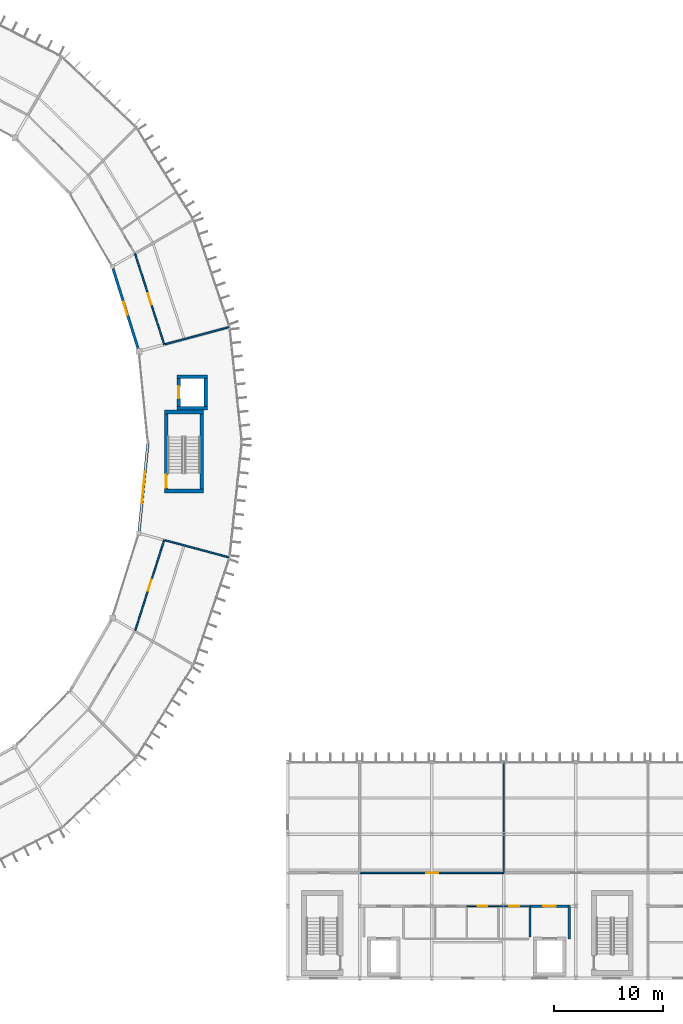
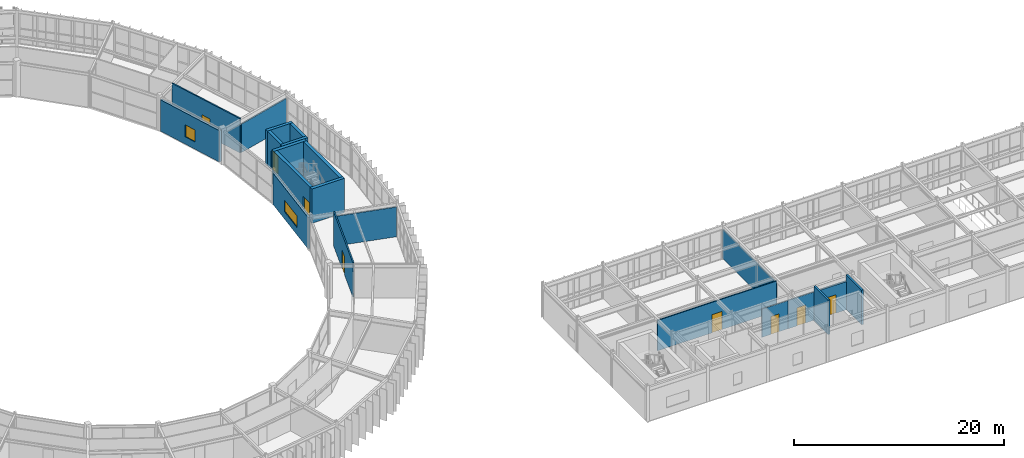
# One storey, part 113 of 130: 21 walls, 8 doors, 2 windows, 10 openings.
"""IFC4 building model written with IfcOpenShell, lengths in metres."""

import ifcopenshell
import ifcopenshell.guid

model = None  # the IFC model being written
_history = None  # IfcOwnerHistory: only IFC2X3 demands one
_inside = {}  # id of a spatial element -> (the spatial element, [elements in it])
_under = {}  # id of a project, library or spatial element -> (it, [spatial elements below it])
_declared = {}  # id of a project -> (the project, [libraries it declares])
_typed = {}  # id of a type object -> (the type object, [elements of that type])
_made_of = {}  # id of a material, layer set ... -> (it, [elements and type objects made of it])


def new_model(schema):
    """Start an empty IFC model of exactly this schema.

    Asked for "IFC4X3", IfcOpenShell would pick the latest addendum, in which some entities
    have other attributes; the version numbers below select the first issue.
    IFC2X3 requires an IfcOwnerHistory on every rooted entity: one is made here for all.
    """
    global model, _history
    if schema == "IFC4X3":
        model = ifcopenshell.file(schema_version=(4, 3, 0, 0))
    else:
        model = ifcopenshell.file(schema=schema)
    _inside.clear()
    _under.clear()
    _declared.clear()
    _typed.clear()
    _made_of.clear()
    _history = None
    if model.schema == "IFC2X3":
        org = make("IfcOrganization", Name="unknown")
        user = make(
            "IfcPersonAndOrganization",
            ThePerson=make("IfcPerson", FamilyName="unknown"),
            TheOrganization=org,
        )
        app = make(
            "IfcApplication",
            ApplicationDeveloper=org,
            Version="unknown",
            ApplicationFullName="unknown",
            ApplicationIdentifier="unknown",
        )
        _history = make(
            "IfcOwnerHistory",
            OwningUser=user,
            OwningApplication=app,
            ChangeAction="ADDED",
            CreationDate=0,
        )
    return model


def make(cls, **values):
    """One entity of the class cls with the attributes given. An attribute that is None is left unset."""
    return model.create_entity(
        cls, **{name: value for name, value in values.items() if value is not None}
    )


def rooted(cls, **values):
    """An entity with a GlobalId (a new one), such as an element, a storey or a relation."""
    return make(cls, GlobalId=ifcopenshell.guid.new(), OwnerHistory=_history, **values)


def si_unit(unit_type, name, prefix=None):
    """IfcSIUnit, for example si_unit("LENGTHUNIT", "METRE", prefix="MILLI")."""
    return make("IfcSIUnit", UnitType=unit_type, Prefix=prefix, Name=name)


def assignment(units):
    """IfcUnitAssignment: the units of a project."""
    return None if units is None else make("IfcUnitAssignment", Units=units)


def point(xyz):
    """IfcCartesianPoint."""
    return None if xyz is None else make("IfcCartesianPoint", Coordinates=xyz)


def direction(xyz):
    """IfcDirection."""
    return None if xyz is None else make("IfcDirection", DirectionRatios=xyz)


def frame(location, z_axis=None, x_axis=None):
    """IfcAxis2Placement3D, a coordinate frame: its origin and axes. An axis left out is left unset."""
    return make(
        "IfcAxis2Placement3D",
        Location=point(location),
        Axis=direction(z_axis),
        RefDirection=direction(x_axis),
    )


def frame_2d(location, x_axis=None):
    """IfcAxis2Placement2D, a coordinate frame in the plane: its origin and x axis."""
    return make(
        "IfcAxis2Placement2D", Location=point(location), RefDirection=direction(x_axis)
    )


def origin():
    """The frame at (0, 0, 0) with its axes left unset."""
    return frame((0.0, 0.0, 0.0))


def place(relative_to, where):
    """IfcLocalPlacement: puts the frame where relative to a parent placement (None: the world)."""
    return make(
        "IfcLocalPlacement", PlacementRelTo=relative_to, RelativePlacement=where
    )


def context(
    kind, dimensions, precision=None, world=None, true_north=None, identifier=None
):
    """IfcGeometricRepresentationContext, for example the 3D "Model" context."""
    return make(
        "IfcGeometricRepresentationContext",
        ContextIdentifier=identifier,
        ContextType=kind,
        CoordinateSpaceDimension=dimensions,
        Precision=precision,
        WorldCoordinateSystem=world,
        TrueNorth=true_north,
    )


def subcontext(parent, identifier, kind, view, scale=None):
    """IfcGeometricRepresentationSubContext, for example "Body" below "Model"."""
    return make(
        "IfcGeometricRepresentationSubContext",
        ContextIdentifier=identifier,
        ContextType=kind,
        ParentContext=parent,
        TargetScale=scale,
        TargetView=view,
    )


def project(units=None, contexts=None):
    """IfcProject with its units and contexts."""
    return rooted(
        "IfcProject",
        Name="project",
        RepresentationContexts=contexts,
        UnitsInContext=assignment(units),
    )


def spatial(cls, under=None, at=None, **own):
    """A site, building, storey or space (cls), placed at a placement, below another one or the project."""
    s = rooted(cls, ObjectPlacement=at, **own)
    if under is not None:
        _under.setdefault(under.id(), (under, []))[1].append(s)
    return s


def profile(cls, at=None, kind="AREA", **sizes):
    """A parametric profile (cls). Its sizes go by their IFC names, for example OverallWidth=200.0."""
    return make(cls, ProfileType=kind, Position=at, **sizes)


def rectangle(**sizes):
    """IfcRectangleProfileDef."""
    return profile("IfcRectangleProfileDef", **sizes)


def extrude(swept, where, along, depth):
    """IfcExtrudedAreaSolid: the profile swept, set in the frame where, extruded along a direction by depth."""
    return make(
        "IfcExtrudedAreaSolid",
        SweptArea=swept,
        Position=where,
        ExtrudedDirection=direction(along),
        Depth=depth,
    )


def shape(context_of_items, identifier, shape_type, items):
    """IfcShapeRepresentation: the items that make up one representation, for example the "Body"."""
    return make(
        "IfcShapeRepresentation",
        ContextOfItems=context_of_items,
        RepresentationIdentifier=identifier,
        RepresentationType=shape_type,
        Items=items,
    )


def material(Name=None, Category=None):
    """IfcMaterial."""
    return make("IfcMaterial", Name=Name, Category=Category)


def layer(
    of_material, thickness, ventilated=None, Name=None, Category=None, Priority=None
):
    """IfcMaterialLayer: one layer of a wall or slab, of a material (None: an air gap)."""
    return make(
        "IfcMaterialLayer",
        Material=of_material,
        LayerThickness=thickness,
        IsVentilated=ventilated,
        Name=Name,
        Category=Category,
        Priority=Priority,
    )


def layer_set(layers, Name=None):
    """IfcMaterialLayerSet."""
    return make("IfcMaterialLayerSet", MaterialLayers=layers, LayerSetName=Name)


def made_of(thing, what):
    """Note that an element or type object is made of a material, layer set ...; save() writes the relation."""
    if what is not None:
        _made_of.setdefault(what.id(), (what, []))[1].append(thing)
    return thing


def type_object(cls, material=None, **own):
    """A type object (cls), such as IfcWallType, which elements share."""
    return made_of(rooted(cls, **own), material)


def element(
    cls,
    number,
    at=None,
    inside=None,
    cuts=None,
    type_object=None,
    material=None,
    context=None,
    identifier="Body",
    shape_type=None,
    held_by="IfcProductDefinitionShape",
    body=None,
    shapes=None,
    **own,
):
    """One element of the class cls, such as IfcWall. Its Tag is "e" and its number.

    at: its placement. inside: the storey or other place that contains it. cuts: it is an
    opening in that element (IfcRelVoidsElement). A single representation is given by context,
    identifier, shape_type and body (its items); several are given by shapes. held_by: the class
    of the entity that holds the representations. save() writes the other relations.
    """
    e = rooted(cls, Tag="e%d" % number, ObjectPlacement=at, **own)
    if body is not None:
        shapes = [shape(context, identifier, shape_type, body)]
    if shapes is not None:
        e.Representation = make(held_by, Representations=shapes)
    if inside is not None:
        _inside.setdefault(inside.id(), (inside, []))[1].append(e)
    if cuts is not None:
        rooted(
            "IfcRelVoidsElement", RelatingBuildingElement=cuts, RelatedOpeningElement=e
        )
    if type_object is not None:
        _typed.setdefault(type_object.id(), (type_object, []))[1].append(e)
    return made_of(e, material)


def fill(opening, filler):
    """IfcRelFillsElement: the door or window that sits in an opening."""
    return rooted(
        "IfcRelFillsElement",
        RelatingOpeningElement=opening,
        RelatedBuildingElement=filler,
    )


def aggregate(whole, parts):
    """IfcRelAggregates: a whole, such as a stair, and the parts it consists of."""
    return rooted("IfcRelAggregates", RelatingObject=whole, RelatedObjects=parts)


def save(model, path):
    """Write the relations noted so far, then the file.

    IfcRelAggregates (storeys below a building ...), IfcRelContainedInSpatialStructure (elements
    in a storey), IfcRelDefinesByType, IfcRelAssociatesMaterial and IfcRelDeclares: one each for
    every whole, place, type object, material and project.
    """
    for whole, parts in _under.values():
        aggregate(whole, parts)
    for where, things in _inside.values():
        rooted(
            "IfcRelContainedInSpatialStructure",
            RelatedElements=things,
            RelatingStructure=where,
        )
    for kind, things in _typed.values():
        rooted("IfcRelDefinesByType", RelatedObjects=things, RelatingType=kind)
    for what, things in _made_of.values():
        rooted("IfcRelAssociatesMaterial", RelatedObjects=things, RelatingMaterial=what)
    for by, libraries in _declared.values():
        rooted("IfcRelDeclares", RelatingContext=by, RelatedDefinitions=libraries)
    model.write(path)


model = new_model("IFC4")

# Units and contexts
model_context = context("Model", 3, precision=1e-05, world=origin(), true_north=direction((0.0, 1.0)))
body_context = subcontext(model_context, "Body", "Model", "MODEL_VIEW")
ifc_project = project(units=[si_unit("LENGTHUNIT", "METRE"), si_unit("AREAUNIT", "SQUARE_METRE"), si_unit("VOLUMEUNIT", "CUBIC_METRE"), si_unit("PLANEANGLEUNIT", "RADIAN"), si_unit("MASSUNIT", "GRAM", prefix="KILO")], contexts=[model_context])

# Site, building, storey
site_placement = place(None, origin())
site = spatial("IfcSite", under=ifc_project, at=site_placement, CompositionType="ELEMENT")
building_placement = place(site_placement, origin())
building = spatial("IfcBuilding", under=site, at=building_placement, Name="Karori Crest Natural Sciences Institute", CompositionType="ELEMENT")
storey_placement = place(building_placement, frame((0.0, 0.0, 17.5)))
storey = spatial("IfcBuildingStorey", under=building, at=storey_placement, Name="L04", CompositionType="ELEMENT", Elevation=17.5)

# Walls
ifc_material_1 = material(Name="Concrete 50 MPa", Category="concrete")
ifc_layer_1 = layer(ifc_material_1, 0.35009765625, Name="Concrete 50 MPa")
ifc_layer_set_1 = layer_set([ifc_layer_1], Name="Concrete 50 MPa")
wall_type_1 = type_object("IfcWallType", Name="IWT-02", PredefinedType="SHEAR", material=ifc_layer_set_1)
for number, where, z_axis, x_axis, name in (
    (1, (92.300048828125, 45.425048828125, 0.0), (0.0, 0.0, 1.0), (1.0, 0.0, 0.0), "Shear wall IW-0021"),
    (2, (92.300048828125, 52.675048828125, 0.0), (0.0, 0.0, 1.0), (1.0, 0.0, 0.0), "Shear wall IW-0022"),
):
    element("IfcWall", number, at=place(storey_placement, frame(where, z_axis=z_axis, x_axis=x_axis)), inside=storey, type_object=wall_type_1, Name=name, PredefinedType="SHEAR", context=body_context, shape_type="SweptSolid", body=[
        extrude(rectangle(XDim=3.599853515625, YDim=0.35009765625, at=frame_2d((1.7998046875, 0.0))), origin(), (0.0, 0.0, 1.0), 4.0),
    ])

# Wall, opening, door
wall_1_placement = place(storey_placement, frame((92.47509765625, 45.60205078125, 0.0), z_axis=(0.0, 0.0, 1.0), x_axis=(0.0, 1.0, 0.0)))
wall_1 = element("IfcWall", 3, at=wall_1_placement, inside=storey, type_object=wall_type_1, Name="Shear wall IW-0023", PredefinedType="SHEAR", context=body_context, shape_type="SweptSolid", body=[
    extrude(rectangle(XDim=6.89599609375, YDim=0.35009765625, at=frame_2d((3.447998046875, 0.0))), origin(), (0.0, 0.0, 1.0), 4.0),
])
opening_1_placement = place(wall_1_placement, frame((0.1201171875, 0.0, 0.0)))
opening_1 = element("IfcOpeningElement", 4, at=opening_1_placement, cuts=wall_1, Name="Opening ID-0006", PredefinedType="OPENING", context=body_context, shape_type="SweptSolid", body=[
    extrude(rectangle(XDim=1.199951171875, YDim=2.14990234375, at=frame_2d((0.60009765625, 1.074951171875))), frame((0.0, 0.18505859375, 0.0), z_axis=(0.0, -1.0, 0.0), x_axis=(1.0, 0.0, 0.0)), (0.0, 0.0, 1.0), 0.3701171875),
])
ifc_material_2 = material(Name="Stainless steel 316 and fire-rated timber", Category="steel")
door_type_1 = type_object("IfcDoorType", Name="IDT-01", OperationType="NOTDEFINED", PredefinedType="DOOR", material=ifc_material_2)
door_1_placement = place(opening_1_placement, origin())
door_1 = element("IfcDoor", 5, at=door_1_placement, inside=storey, type_object=door_type_1, Name="Stair ST-01 fire door ID-0006", OperationType="SINGLE_SWING_RIGHT", OverallHeight=2.14990234375, OverallWidth=1.199951171875, PredefinedType="DOOR", context=body_context, shape_type="SweptSolid", body=[
    extrude(rectangle(XDim=1.199951171875, YDim=2.14990234375, at=frame_2d((0.60009765625, 1.074951171875))), frame((0.0, 0.02490234375, 0.0), z_axis=(0.0, -1.0, 0.0), x_axis=(1.0, 0.0, 0.0)), (0.0, 0.0, 1.0), 0.050048828125),
])
fill(opening_1, door_1)

# Walls
wall_2_placement = place(storey_placement, frame((95.72509765625, 45.60205078125, 0.0), z_axis=(0.0, 0.0, 1.0), x_axis=(0.0, 1.0, 0.0)))
element("IfcWall", 6, at=wall_2_placement, inside=storey, type_object=wall_type_1, Name="Shear wall IW-0024", PredefinedType="SHEAR", context=body_context, shape_type="SweptSolid", body=[
    extrude(rectangle(XDim=6.89599609375, YDim=0.35009765625, at=frame_2d((3.447998046875, 0.0))), origin(), (0.0, 0.0, 1.0), 4.0),
])
ifc_layer_2 = layer(ifc_material_1, 0.320068359375, Name="Concrete 50 MPa")
ifc_layer_set_2 = layer_set([ifc_layer_2], Name="Concrete 50 MPa")
wall_type_2 = type_object("IfcWallType", Name="IWT-03", PredefinedType="SHEAR", material=ifc_layer_set_2)
for number, where, z_axis, x_axis, name in (
    (7, (93.445068359375, 53.030029296875, 0.0), (0.0, 0.0, 1.0), (1.0, 0.0, 0.0), "Shear wall IW-0421"),
    (8, (93.445068359375, 55.89501953125, 0.0), (0.0, 0.0, 1.0), (1.0, 0.0, 0.0), "Shear wall IW-0422"),
):
    element("IfcWall", number, at=place(storey_placement, frame(where, z_axis=z_axis, x_axis=x_axis)), inside=storey, type_object=wall_type_2, Name=name, PredefinedType="SHEAR", context=body_context, shape_type="SweptSolid", body=[
        extrude(rectangle(XDim=2.809814453125, YDim=0.320068359375, at=frame_2d((1.40478515625, 0.0))), origin(), (0.0, 0.0, 1.0), 4.0),
    ])

# Wall, opening, door
wall_3_placement = place(storey_placement, frame((93.60498046875, 53.19189453125, 0.0), z_axis=(0.0, 0.0, 1.0), x_axis=(0.0, 1.0, 0.0)))
wall_3 = element("IfcWall", 9, at=wall_3_placement, inside=storey, type_object=wall_type_2, Name="Shear wall IW-0423", PredefinedType="SHEAR", context=body_context, shape_type="SweptSolid", body=[
    extrude(rectangle(XDim=2.541015625, YDim=0.320068359375, at=frame_2d((1.2705078125, 0.0))), origin(), (0.0, 0.0, 1.0), 4.0),
])
opening_2_placement = place(wall_3_placement, frame((0.720458984375, 0.0, 0.0)))
opening_2 = element("IfcOpeningElement", 10, at=opening_2_placement, cuts=wall_3, Name="Opening LD-0030", PredefinedType="OPENING", context=body_context, shape_type="SweptSolid", body=[
    extrude(rectangle(XDim=1.10009765625, YDim=2.14990234375, at=frame_2d((0.550048828125, 1.074951171875))), frame((0.0, 0.169921875, 0.0), z_axis=(0.0, -1.0, 0.0), x_axis=(1.0, 0.0, 0.0)), (0.0, 0.0, 1.0), 0.340087890625),
])
door_type_2 = type_object("IfcDoorType", Name="LDT-01", OperationType="SLIDING_TO_LEFT", PredefinedType="DOOR", material=ifc_material_2)
door_2_placement = place(opening_2_placement, origin())
door_2 = element("IfcDoor", 11, at=door_2_placement, inside=storey, type_object=door_type_2, Name="Lift LP-01 landing door LD-0030", OperationType="SLIDING_TO_LEFT", OverallHeight=2.14990234375, OverallWidth=1.10009765625, PredefinedType="DOOR", context=body_context, shape_type="SweptSolid", body=[
    extrude(rectangle(XDim=1.10009765625, YDim=2.14990234375, at=frame_2d((0.550048828125, 1.074951171875))), frame((0.0, 0.02490234375, 0.0), z_axis=(0.0, -1.0, 0.0), x_axis=(1.0, 0.0, 0.0)), (0.0, 0.0, 1.0), 0.050048828125),
])
fill(opening_2, door_2)

# Wall
wall_4_placement = place(storey_placement, frame((96.094970703125, 53.19189453125, 0.0), z_axis=(0.0, 0.0, 1.0), x_axis=(0.0, 1.0, 0.0)))
element("IfcWall", 12, at=wall_4_placement, inside=storey, type_object=wall_type_2, Name="Shear wall IW-0424", PredefinedType="SHEAR", context=body_context, shape_type="SweptSolid", body=[
    extrude(rectangle(XDim=2.541015625, YDim=0.320068359375, at=frame_2d((1.2705078125, 0.0))), origin(), (0.0, 0.0, 1.0), 4.0),
])

# Wall, opening, door
ifc_material_3 = material(Name="Concrete 40 MPa", Category="concrete")
ifc_layer_3 = layer(ifc_material_3, 0.199951171875, Name="Concrete 40 MPa")
ifc_layer_set_3 = layer_set([ifc_layer_3], Name="Concrete 40 MPa")
wall_type_3 = type_object("IfcWallType", Name="IWT-04", PredefinedType="SOLIDWALL", material=ifc_layer_set_3)
wall_5_placement = place(storey_placement, frame((125.800048828125, 7.39990234375, 0.0), z_axis=(0.0, 0.0, 1.0), x_axis=(1.0, 0.0, 0.0)))
wall_5 = element("IfcWall", 13, at=wall_5_placement, inside=storey, type_object=wall_type_3, Name="Partition wall IW-0694", PredefinedType="SOLIDWALL", context=body_context, shape_type="SweptSolid", body=[
    extrude(rectangle(XDim=3.599853515625, YDim=0.199951171875, at=frame_2d((1.7998046875, 0.0))), origin(), (0.0, 0.0, 1.0), 3.29296875),
])
opening_3_placement = place(wall_5_placement, frame((1.22509765625, 0.0, 0.0)))
opening_3 = element("IfcOpeningElement", 14, at=opening_3_placement, cuts=wall_5, Name="Opening ID-0137", PredefinedType="OPENING", context=body_context, shape_type="SweptSolid", body=[
    extrude(rectangle(XDim=1.14990234375, YDim=2.14990234375, at=frame_2d((0.574951171875, 1.074951171875))), frame((0.0, 0.10986328125, 0.0), z_axis=(0.0, -1.0, 0.0), x_axis=(1.0, 0.0, 0.0)), (0.0, 0.0, 1.0), 0.219970703125),
])
door_type_3 = type_object("IfcDoorType", Name="IDT-02", OperationType="NOTDEFINED", PredefinedType="DOOR", material=ifc_material_2)
door_3_placement = place(opening_3_placement, origin())
door_3 = element("IfcDoor", 15, at=door_3_placement, inside=storey, type_object=door_type_3, Name="Firefighting Lift Lobby East door ID-0137", OperationType="SINGLE_SWING_LEFT", OverallHeight=2.14990234375, OverallWidth=1.14990234375, PredefinedType="DOOR", context=body_context, shape_type="SweptSolid", body=[
    extrude(rectangle(XDim=1.14990234375, YDim=2.14990234375, at=frame_2d((0.574951171875, 1.074951171875))), frame((0.0, 0.02490234375, 0.0), z_axis=(0.0, -1.0, 0.0), x_axis=(1.0, 0.0, 0.0)), (0.0, 0.0, 1.0), 0.050048828125),
])
fill(opening_3, door_3)

# Walls
wall_6_placement = place(storey_placement, frame((125.800048828125, 4.58203125, 0.0), z_axis=(0.0, 0.0, 1.0), x_axis=(0.0, 1.0, 0.0)))
element("IfcWall", 16, at=wall_6_placement, inside=storey, type_object=wall_type_3, Name="Partition wall IW-0695", PredefinedType="SOLIDWALL", context=body_context, shape_type="SweptSolid", body=[
    extrude(rectangle(XDim=2.716064453125, YDim=0.199951171875, at=frame_2d((1.35791015625, 0.0))), origin(), (0.0, 0.0, 1.0), 4.02001953125),
])
wall_7_placement = place(storey_placement, frame((129.39990234375, 4.39990234375, 0.0), z_axis=(0.0, 0.0, 1.0), x_axis=(0.0, 1.0, 0.0)))
element("IfcWall", 17, at=wall_7_placement, inside=storey, type_object=wall_type_3, Name="Partition wall IW-0696", PredefinedType="SOLIDWALL", context=body_context, shape_type="SweptSolid", body=[
    extrude(rectangle(XDim=3.0, YDim=0.199951171875, at=frame_2d((1.5, 0.0))), origin(), (0.0, 0.0, 1.0), 4.02001953125),
])

# Wall, opening, door
ifc_material_4 = material(Name="Laboratory acoustic drywall partition")
ifc_layer_4 = layer(ifc_material_4, 0.139892578125, Name="Laboratory acoustic drywall partition")
ifc_layer_set_4 = layer_set([ifc_layer_4], Name="Laboratory acoustic drywall partition")
wall_type_4 = type_object("IfcWallType", Name="IWT-07", PredefinedType="PARTITIONING", material=ifc_layer_set_4)
wall_8_placement = place(storey_placement, frame((92.286865234375, 58.85498046875, 0.0), z_axis=(0.0, 0.0, 1.0), x_axis=(-0.30548522006, 0.952196818061, 0.0)))
wall_8 = element("IfcWall", 18, at=wall_8_placement, inside=storey, type_object=wall_type_4, Name="Partition wall IW-1327", PredefinedType="PARTITIONING", context=body_context, shape_type="SweptSolid", body=[
    extrude(rectangle(XDim=8.763916015625, YDim=0.139892578125, at=frame_2d((4.3818359375, 0.0))), origin(), (0.0, 0.0, 1.0), 4.0),
])
opening_4_placement = place(wall_8_placement, frame((3.85693359375, 0.0, 0.0)))
opening_4 = element("IfcOpeningElement", 19, at=opening_4_placement, cuts=wall_8, Name="Opening ID-0415", PredefinedType="OPENING", context=body_context, shape_type="SweptSolid", body=[
    extrude(rectangle(XDim=1.050048828125, YDim=2.14990234375, at=frame_2d((0.52490234375, 1.074951171875))), frame((0.0, 0.080078125, 0.0), z_axis=(0.0, -1.0, 0.0), x_axis=(1.0, 0.0, 0.0)), (0.0, 0.0, 1.0), 0.159912109375),
])
door_type_4 = type_object("IfcDoorType", Name="IDT-03", OperationType="NOTDEFINED", PredefinedType="DOOR", material=ifc_material_2)
door_4_placement = place(opening_4_placement, origin())
door_4 = element("IfcDoor", 20, at=door_4_placement, inside=storey, type_object=door_type_4, Name="Organic Biogeochemistry Laboratory door ID-0415", OperationType="SINGLE_SWING_LEFT", OverallHeight=2.14990234375, OverallWidth=1.050048828125, PredefinedType="DOOR", context=body_context, shape_type="SweptSolid", body=[
    extrude(rectangle(XDim=1.050048828125, YDim=2.14990234375, at=frame_2d((0.52490234375, 1.074951171875))), frame((0.0, 0.02490234375, 0.0), z_axis=(0.0, -1.0, 0.0), x_axis=(1.0, 0.0, 0.0)), (0.0, 0.0, 1.0), 0.050048828125),
])
fill(opening_4, door_4)

# Wall
wall_9_placement = place(storey_placement, frame((92.364013671875, 58.875732421875, 0.0), z_axis=(0.0, 0.0, 1.0), x_axis=(0.96591927772, 0.258843483457, 0.0)))
element("IfcWall", 21, at=wall_9_placement, inside=storey, type_object=wall_type_4, Name="Partition wall IW-1328", PredefinedType="PARTITIONING", context=body_context, shape_type="SweptSolid", body=[
    extrude(rectangle(XDim=6.06005859375, YDim=0.139892578125, at=frame_2d((3.030029296875, 0.0))), origin(), (0.0, 0.0, 1.0), 3.322998046875),
])

# Wall, opening, door
wall_10_placement = place(storey_placement, frame((89.632080078125, 32.670166015625, 0.0), z_axis=(0.0, 0.0, 1.0), x_axis=(0.305495322231, 0.952193577008, 0.0)))
wall_10 = element("IfcWall", 22, at=wall_10_placement, inside=storey, type_object=wall_type_4, Name="Partition wall IW-1365", PredefinedType="PARTITIONING", context=body_context, shape_type="SweptSolid", body=[
    extrude(rectangle(XDim=8.690185546875, YDim=0.139892578125, at=frame_2d((4.34521484375, 0.0))), origin(), (0.0, 0.0, 1.0), 4.0),
])
opening_5_placement = place(wall_10_placement, frame((3.820068359375, 0.0, 0.0)))
opening_5 = element("IfcOpeningElement", 23, at=opening_5_placement, cuts=wall_10, Name="Opening ID-0431", PredefinedType="OPENING", context=body_context, shape_type="SweptSolid", body=[
    extrude(rectangle(XDim=1.050048828125, YDim=2.14990234375, at=frame_2d((0.52490234375, 1.074951171875))), frame((0.0, 0.080078125, 0.0), z_axis=(0.0, -1.0, 0.0), x_axis=(1.0, 0.0, 0.0)), (0.0, 0.0, 1.0), 0.159912109375),
])
door_5_placement = place(opening_5_placement, origin())
door_5 = element("IfcDoor", 24, at=door_5_placement, inside=storey, type_object=door_type_4, Name="Paleoclimate Core Analysis Laboratory door ID-0431", OperationType="SINGLE_SWING_LEFT", OverallHeight=2.14990234375, OverallWidth=1.050048828125, PredefinedType="DOOR", context=body_context, shape_type="SweptSolid", body=[
    extrude(rectangle(XDim=1.050048828125, YDim=2.14990234375, at=frame_2d((0.52490234375, 1.074951171875))), frame((0.0, 0.02490234375, 0.0), z_axis=(0.0, -1.0, 0.0), x_axis=(1.0, 0.0, 0.0)), (0.0, 0.0, 1.0), 0.050048828125),
])
fill(opening_5, door_5)

# Wall
wall_11_placement = place(storey_placement, frame((92.364013671875, 40.92431640625, 0.0), z_axis=(0.0, 0.0, 1.0), x_axis=(0.96591927772, -0.258843483457, 0.0)))
element("IfcWall", 25, at=wall_11_placement, inside=storey, type_object=wall_type_4, Name="Partition wall IW-1366", PredefinedType="PARTITIONING", context=body_context, shape_type="SweptSolid", body=[
    extrude(rectangle(XDim=6.06005859375, YDim=0.139892578125, at=frame_2d((3.030029296875, 0.0))), origin(), (0.0, 0.0, 1.0), 3.465087890625),
])

# Wall, opening, door
ifc_material_5 = material(Name="Write-up office acoustic partition")
ifc_layer_5 = layer(ifc_material_5, 0.1201171875, Name="Write-up office acoustic partition")
ifc_layer_set_5 = layer_set([ifc_layer_5], Name="Write-up office acoustic partition")
wall_type_5 = type_object("IfcWallType", Name="IWT-08", PredefinedType="PARTITIONING", material=ifc_layer_set_5)
wall_12_placement = place(storey_placement, frame((122.89990234375, 7.39990234375, 0.0), z_axis=(0.0, 0.0, 1.0), x_axis=(1.0, 0.0, 0.0)))
wall_12 = element("IfcWall", 26, at=wall_12_placement, inside=storey, type_object=wall_type_5, Name="Partition wall IW-0698", PredefinedType="PARTITIONING", context=body_context, shape_type="SweptSolid", body=[
    extrude(rectangle(XDim=2.898193359375, YDim=0.1201171875, at=frame_2d((1.44921875, 0.0))), origin(), (0.0, 0.0, 1.0), 3.29296875),
])
opening_6_placement = place(wall_12_placement, frame((0.97412109375, 0.0, 0.0)))
opening_6 = element("IfcOpeningElement", 27, at=opening_6_placement, cuts=wall_12, Name="Opening ID-0138", PredefinedType="OPENING", context=body_context, shape_type="SweptSolid", body=[
    extrude(rectangle(XDim=0.949951171875, YDim=2.10009765625, at=frame_2d((0.47509765625, 1.050048828125))), frame((0.0, 0.070068359375, 0.0), z_axis=(0.0, -1.0, 0.0), x_axis=(1.0, 0.0, 0.0)), (0.0, 0.0, 1.0), 0.14013671875),
])
ifc_material_6 = material(Name="Anodised aluminium and acoustic timber", Category="wood")
door_type_5 = type_object("IfcDoorType", Name="IDT-08", OperationType="NOTDEFINED", PredefinedType="DOOR", material=ifc_material_6)
door_6_placement = place(opening_6_placement, origin())
door_6 = element("IfcDoor", 28, at=door_6_placement, inside=storey, type_object=door_type_5, Name="Communications Server Room door ID-0138", OperationType="SINGLE_SWING_RIGHT", OverallHeight=2.10009765625, OverallWidth=0.949951171875, PredefinedType="DOOR", context=body_context, shape_type="SweptSolid", body=[
    extrude(rectangle(XDim=0.949951171875, YDim=2.10009765625, at=frame_2d((0.47509765625, 1.050048828125))), frame((0.0, 0.02490234375, 0.0), z_axis=(0.0, -1.0, 0.0), x_axis=(1.0, 0.0, 0.0)), (0.0, 0.0, 1.0), 0.050048828125),
])
fill(opening_6, door_6)

wall_13_placement = place(storey_placement, frame((110.261962890625, 10.449951171875, 0.0), z_axis=(0.0, 0.0, 1.0), x_axis=(1.0, 0.0, 0.0)))
wall_13 = element("IfcWall", 29, at=wall_13_placement, inside=storey, type_object=wall_type_5, Name="Partition wall IW-0714", PredefinedType="PARTITIONING", context=body_context, shape_type="SweptSolid", body=[
    extrude(rectangle(XDim=13.137939453125, YDim=0.1201171875, at=frame_2d((6.56884765625, 0.0))), origin(), (0.0, 0.0, 1.0), 3.5458984375),
])
opening_7_placement = place(wall_13_placement, frame((6.029052734375, 0.0, 0.0)))
opening_7 = element("IfcOpeningElement", 30, at=opening_7_placement, cuts=wall_13, Name="Opening ID-0145", PredefinedType="OPENING", context=body_context, shape_type="SweptSolid", body=[
    extrude(rectangle(XDim=1.080078125, YDim=2.1201171875, at=frame_2d((0.5400390625, 1.06005859375))), frame((0.0, 0.070068359375, 0.0), z_axis=(0.0, -1.0, 0.0), x_axis=(1.0, 0.0, 0.0)), (0.0, 0.0, 1.0), 0.14013671875),
])
door_type_6 = type_object("IfcDoorType", Name="IDT-12", OperationType="NOTDEFINED", PredefinedType="DOOR", material=ifc_material_6)
door_7_placement = place(opening_7_placement, origin())
door_7 = element("IfcDoor", 31, at=door_7_placement, inside=storey, type_object=door_type_6, Name="Computational Ecology Studio door ID-0145", OperationType="SINGLE_SWING_LEFT", OverallHeight=2.1201171875, OverallWidth=1.080078125, PredefinedType="DOOR", context=body_context, shape_type="SweptSolid", body=[
    extrude(rectangle(XDim=1.080078125, YDim=2.1201171875, at=frame_2d((0.5400390625, 1.06005859375))), frame((0.0, 0.02490234375, 0.0), z_axis=(0.0, -1.0, 0.0), x_axis=(1.0, 0.0, 0.0)), (0.0, 0.0, 1.0), 0.050048828125),
])
fill(opening_7, door_7)

# Wall
wall_14_placement = place(storey_placement, frame((123.39990234375, 10.449951171875, 0.0), z_axis=(0.0, 0.0, 1.0), x_axis=(0.0, 1.0, 0.0)))
element("IfcWall", 32, at=wall_14_placement, inside=storey, type_object=wall_type_5, Name="Partition wall IW-0715", PredefinedType="PARTITIONING", context=body_context, shape_type="SweptSolid", body=[
    extrude(rectangle(XDim=10.150146484375, YDim=0.1201171875, at=frame_2d((5.0751953125, 0.0))), origin(), (0.0, 0.0, 1.0), 3.3720703125),
])

# Wall, opening, door
ifc_material_7 = material(Name="Washroom moisture-resistant partition")
ifc_layer_6 = layer(ifc_material_7, 0.10009765625, Name="Washroom moisture-resistant partition")
ifc_layer_set_6 = layer_set([ifc_layer_6], Name="Washroom moisture-resistant partition")
wall_type_6 = type_object("IfcWallType", Name="IWT-09", PredefinedType="PARTITIONING", material=ifc_layer_set_6)
wall_15_placement = place(storey_placement, frame((120.001953125, 7.39990234375, 0.0), z_axis=(0.0, 0.0, 1.0), x_axis=(1.0, 0.0, 0.0)))
wall_15 = element("IfcWall", 33, at=wall_15_placement, inside=storey, type_object=wall_type_6, Name="Partition wall IW-0707", PredefinedType="PARTITIONING", context=body_context, shape_type="SweptSolid", body=[
    extrude(rectangle(XDim=2.89599609375, YDim=0.10009765625, at=frame_2d((1.447998046875, 0.0))), origin(), (0.0, 0.0, 1.0), 3.29296875),
])
opening_8_placement = place(wall_15_placement, frame((1.008056640625, 0.0, 0.0)))
opening_8 = element("IfcOpeningElement", 34, at=opening_8_placement, cuts=wall_15, Name="Opening ID-0141", PredefinedType="OPENING", context=body_context, shape_type="SweptSolid", body=[
    extrude(rectangle(XDim=0.8798828125, YDim=2.080078125, at=frame_2d((0.43994140625, 1.0400390625))), frame((0.0, 0.06005859375, 0.0), z_axis=(0.0, -1.0, 0.0), x_axis=(1.0, 0.0, 0.0)), (0.0, 0.0, 1.0), 0.1201171875),
])
door_type_7 = type_object("IfcDoorType", Name="IDT-10", OperationType="NOTDEFINED", PredefinedType="DOOR", material=ifc_material_6)
door_8_placement = place(opening_8_placement, origin())
door_8 = element("IfcDoor", 35, at=door_8_placement, inside=storey, type_object=door_type_7, Name="Male Washroom WC door ID-0141", OperationType="SINGLE_SWING_LEFT", OverallHeight=2.080078125, OverallWidth=0.8798828125, PredefinedType="DOOR", context=body_context, shape_type="SweptSolid", body=[
    extrude(rectangle(XDim=0.8798828125, YDim=2.080078125, at=frame_2d((0.43994140625, 1.0400390625))), frame((0.0, 0.02490234375, 0.0), z_axis=(0.0, -1.0, 0.0), x_axis=(1.0, 0.0, 0.0)), (0.0, 0.0, 1.0), 0.050048828125),
])
fill(opening_8, door_8)

# Wall, opening, window
ifc_material_8 = material(Name="Precast concrete 40 MPa", Category="concrete")
ifc_layer_7 = layer(ifc_material_8, 0.239990234375, Name="Precast concrete 40 MPa")
ifc_layer_set_7 = layer_set([ifc_layer_7], Name="Precast concrete 40 MPa")
wall_type_7 = type_object("IfcWallType", Name="WT-04", PredefinedType="SOLIDWALL", material=ifc_layer_set_7)
wall_16_placement = place(storey_placement, frame((89.8828125, 58.507080078125, 0.0), z_axis=(0.0, 0.0, 1.0), x_axis=(-0.299452933333, 0.954111073575, 0.0)))
wall_16 = element("IfcWall", 36, at=wall_16_placement, inside=storey, type_object=wall_type_7, Name="Exterior wall EW-0076", PredefinedType="SOLIDWALL", context=body_context, shape_type="SweptSolid", body=[
    extrude(rectangle(XDim=7.645751953125, YDim=0.239990234375, at=frame_2d((3.82275390625, 0.0))), origin(), (0.0, 0.0, 1.0), 3.64990234375),
])
opening_9_placement = place(wall_16_placement, frame((3.197998046875, 0.0, 0.85009765625)))
opening_9 = element("IfcOpeningElement", 37, at=opening_9_placement, cuts=wall_16, Name="Opening WN-0030", PredefinedType="OPENING", context=body_context, shape_type="SweptSolid", body=[
    extrude(rectangle(XDim=1.25, YDim=1.39990234375, at=frame_2d((0.625, 0.699951171875))), frame((0.0, 0.1298828125, 0.0), z_axis=(0.0, -1.0, 0.0), x_axis=(1.0, 0.0, 0.0)), (0.0, 0.0, 1.0), 0.260009765625),
])
ifc_material_9 = material(Name="Double low-E laminated glass", Category="glass")
window_type_1 = type_object("IfcWindowType", Name="WNT-02", PartitioningType="SINGLE_PANEL", PredefinedType="WINDOW", material=ifc_material_9)
window_1_placement = place(opening_9_placement, origin())
window_1 = element("IfcWindow", 38, at=window_1_placement, inside=storey, type_object=window_type_1, Name="Window WN-0030", OverallHeight=1.39990234375, OverallWidth=1.25, PartitioningType="SINGLE_PANEL", PredefinedType="WINDOW", context=body_context, shape_type="SweptSolid", body=[
    extrude(rectangle(XDim=1.25, YDim=1.39990234375, at=frame_2d((0.625, 0.699951171875))), frame((0.0, 0.030029296875, 0.0), z_axis=(0.0, -1.0, 0.0), x_axis=(1.0, 0.0, 0.0)), (0.0, 0.0, 1.0), 0.06005859375),
])
fill(opening_9, window_1)

wall_17_placement = place(storey_placement, frame((89.98828125, 41.763916015625, 0.0), z_axis=(0.0, 0.0, 1.0), x_axis=(0.099282146725, 0.995059322524, 0.0)))
wall_17 = element("IfcWall", 39, at=wall_17_placement, inside=storey, type_object=wall_type_7, Name="Exterior wall EW-0087", PredefinedType="SOLIDWALL", context=body_context, shape_type="SweptSolid", body=[
    extrude(rectangle(XDim=8.072998046875, YDim=0.239990234375, at=frame_2d((4.03662109375, 0.0))), origin(), (0.0, 0.0, 1.0), 3.64990234375),
])
opening_10_placement = place(wall_17_placement, frame((2.58642578125, 0.0, 0.85009765625)))
opening_10 = element("IfcOpeningElement", 40, at=opening_10_placement, cuts=wall_17, Name="Opening WN-0037", PredefinedType="OPENING", context=body_context, shape_type="SweptSolid", body=[
    extrude(rectangle(XDim=2.89990234375, YDim=1.35009765625, at=frame_2d((1.449951171875, 0.675048828125))), frame((0.0, 0.1298828125, 0.0), z_axis=(0.0, -1.0, 0.0), x_axis=(1.0, 0.0, 0.0)), (0.0, 0.0, 1.0), 0.260009765625),
])
window_type_2 = type_object("IfcWindowType", Name="WNT-24", PartitioningType="SINGLE_PANEL", PredefinedType="WINDOW", material=ifc_material_9)
window_2_placement = place(opening_10_placement, origin())
window_2 = element("IfcWindow", 41, at=window_2_placement, inside=storey, type_object=window_type_2, Name="Window WN-0037", OverallHeight=1.35009765625, OverallWidth=2.89990234375, PartitioningType="SINGLE_PANEL", PredefinedType="WINDOW", context=body_context, shape_type="SweptSolid", body=[
    extrude(rectangle(XDim=2.89990234375, YDim=1.35009765625, at=frame_2d((1.449951171875, 0.675048828125))), frame((0.0, 0.030029296875, 0.0), z_axis=(0.0, -1.0, 0.0), x_axis=(1.0, 0.0, 0.0)), (0.0, 0.0, 1.0), 0.06005859375),
])
fill(opening_10, window_2)

save(model, "model.ifc")
